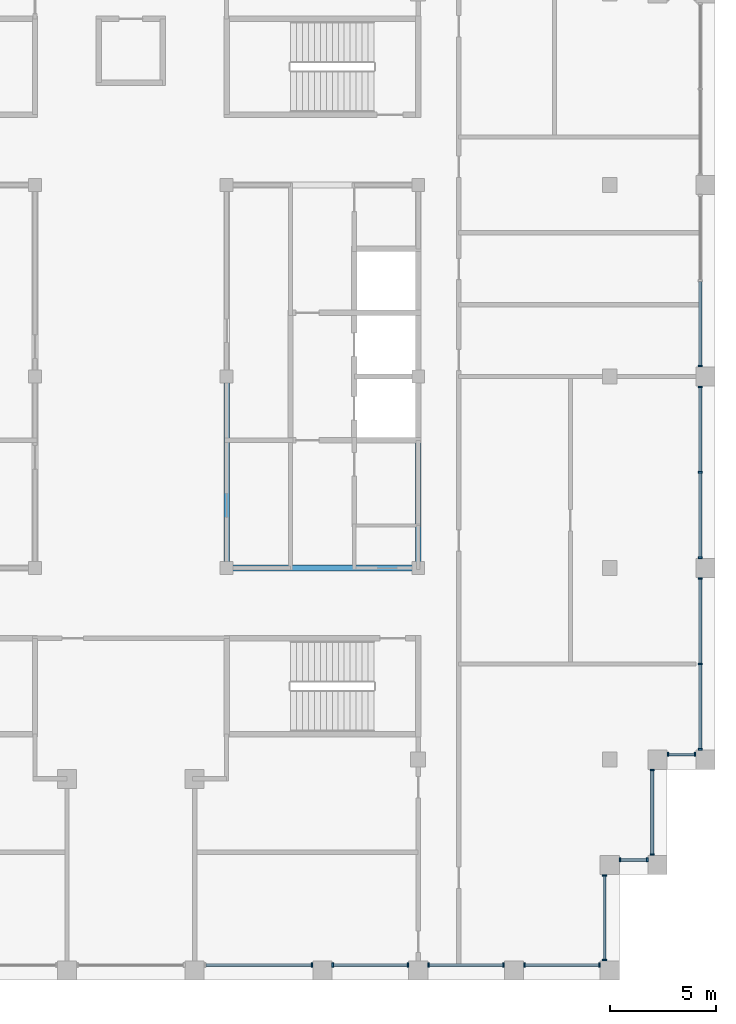
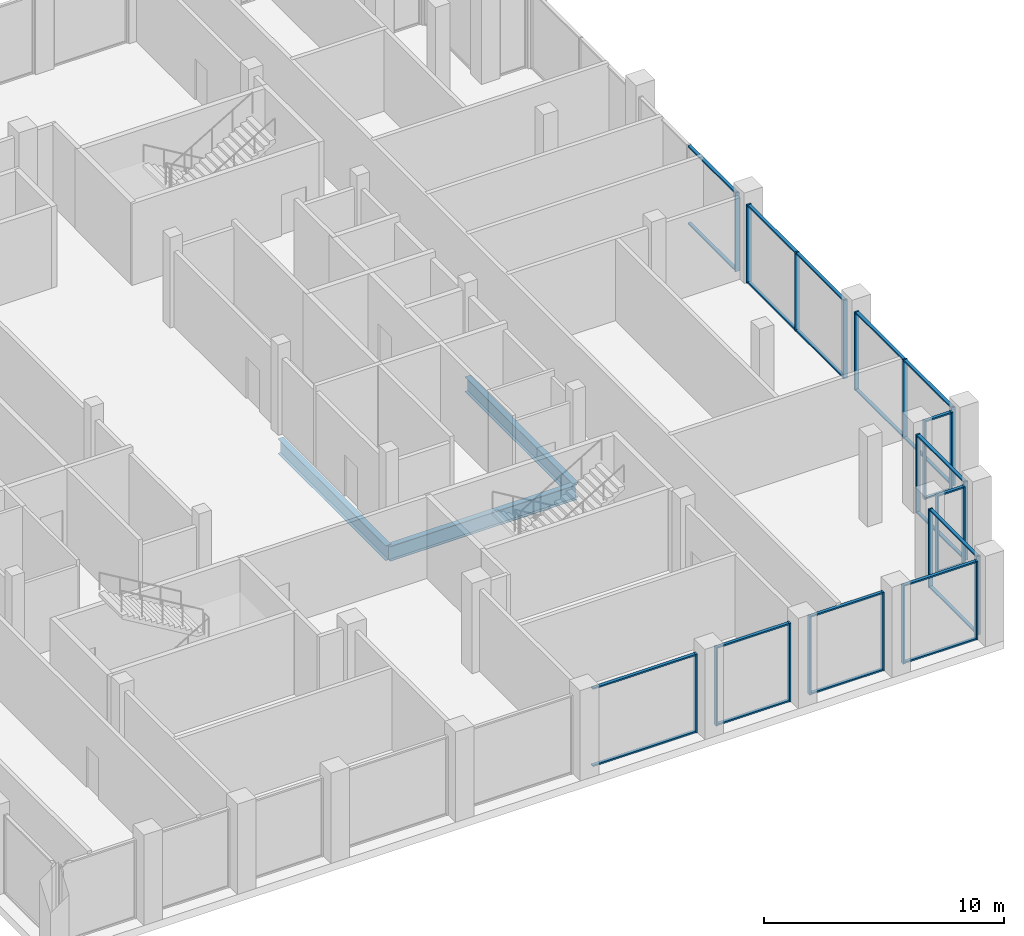
# One storey, part 3 of 12: 48 members, 3 beams, 11 elements without a shape of their own.
"""IFC4 building model written with IfcOpenShell, lengths in metres."""

from ifc_helpers import new_model, si_unit, direction, frame, origin, origin_2d, place, context, subcontext, project, spatial, rectangle, i_section, extrude, material, layer, layer_set, material_profile, profile_set, type_object, element, aggregate, save


model = new_model("IFC4")

# Units and contexts
model_context = context("Model", 3, precision=1e-05, world=origin(), true_north=direction((0.0, 1.0)))
body_context = subcontext(model_context, "Body", "Model", "MODEL_VIEW")
ifc_project = project(units=[si_unit("LENGTHUNIT", "METRE"), si_unit("AREAUNIT", "SQUARE_METRE"), si_unit("VOLUMEUNIT", "CUBIC_METRE"), si_unit("PLANEANGLEUNIT", "RADIAN"), si_unit("MASSUNIT", "GRAM", prefix="KILO")], contexts=[model_context])

# Site, building, storey
site_placement = place(None, origin())
site = spatial("IfcSite", under=ifc_project, at=site_placement, CompositionType="ELEMENT")
building_placement = place(site_placement, origin())
building = spatial("IfcBuilding", under=site, at=building_placement, Name="Corbelhall Arena Tower", CompositionType="ELEMENT")
storey_placement = place(building_placement, frame((0.0, 0.0, 356.0)))
storey = spatial("IfcBuildingStorey", under=building, at=storey_placement, Name="L78", CompositionType="ELEMENT", Elevation=356.0)

# Curtain wall, member
ifc_material_1 = material(Name="Aluminium black anodised", Category="aluminium")
ifc_layer = layer(ifc_material_1, 0.179931640625)
ifc_layer_set = layer_set([ifc_layer], Name="EV-CW3 Crown glazing")
curtain_wall_type = type_object("IfcCurtainWallType", Name="EV-CW3 Crown glazing", PredefinedType="NOTDEFINED", material=ifc_layer_set)
curtain_wall_1_placement = place(storey_placement, origin())
curtain_wall_1 = element("IfcCurtainWall", 1, at=curtain_wall_1_placement, inside=storey, type_object=curtain_wall_type, Name="Curtain wall CW3C", PredefinedType="NOTDEFINED")
ifc_material_profile_1 = material_profile(ifc_material_1, rectangle(XDim=0.199951171875, YDim=0.074951171875, at=origin_2d()))
ifc_profile_set_1 = profile_set([ifc_material_profile_1], Name="Aluminium black anodised")
member_type_1 = type_object("IfcMemberType", Name="EV-CW3-MULLION", PredefinedType="MULLION", material=ifc_profile_set_1)
member_1_placement = place(storey_placement, frame((8.512451171875, -27.64990234375, 0.0), z_axis=(0.0, 0.0, 1.0), x_axis=(0.0, 1.0, 0.0)))
member_1 = element("IfcMember", 2, at=member_1_placement, type_object=member_type_1, Name="CW3C mullion 2", PredefinedType="MULLION", context=body_context, shape_type="SweptSolid", body=[
    extrude(rectangle(XDim=0.199951171875, YDim=0.074951171875, at=origin_2d()), origin(), (0.0, 0.0, 1.0), 3.99951171875),
])

# Curtain wall, members
curtain_wall_2_placement = place(storey_placement, origin())
curtain_wall_2 = element("IfcCurtainWall", 3, at=curtain_wall_2_placement, inside=storey, type_object=curtain_wall_type, Name="Curtain wall CW3A", PredefinedType="NOTDEFINED")
member_2_placement = place(storey_placement, frame((9.487548828125, -27.64990234375, 0.0), z_axis=(0.0, 0.0, 1.0), x_axis=(0.0, 1.0, 0.0)))
member_2 = element("IfcMember", 4, at=member_2_placement, type_object=member_type_1, Name="CW3A mullion 1", PredefinedType="MULLION", context=body_context, shape_type="SweptSolid", body=[
    extrude(rectangle(XDim=0.199951171875, YDim=0.074951171875, at=origin_2d()), origin(), (0.0, 0.0, 1.0), 3.99951171875),
])
member_3_placement = place(storey_placement, frame((13.012451171875, -27.64990234375, 0.0), z_axis=(0.0, 0.0, 1.0), x_axis=(0.0, 1.0, 0.0)))
member_3 = element("IfcMember", 5, at=member_3_placement, type_object=member_type_1, Name="CW3A mullion 2", PredefinedType="MULLION", context=body_context, shape_type="SweptSolid", body=[
    extrude(rectangle(XDim=0.199951171875, YDim=0.074951171875, at=origin_2d()), origin(), (0.0, 0.0, 1.0), 3.99951171875),
])

curtain_wall_3_placement = place(storey_placement, origin())
curtain_wall_3 = element("IfcCurtainWall", 6, at=curtain_wall_3_placement, inside=storey, type_object=curtain_wall_type, Name="Curtain wall CW3A", PredefinedType="NOTDEFINED")
member_4_placement = place(storey_placement, frame((13.987548828125, -27.64990234375, 0.0), z_axis=(0.0, 0.0, 1.0), x_axis=(0.0, 1.0, 0.0)))
member_4 = element("IfcMember", 7, at=member_4_placement, type_object=member_type_1, Name="CW3A mullion 1", PredefinedType="MULLION", context=body_context, shape_type="SweptSolid", body=[
    extrude(rectangle(XDim=0.199951171875, YDim=0.074951171875, at=origin_2d()), origin(), (0.0, 0.0, 1.0), 3.99951171875),
])
member_5_placement = place(storey_placement, frame((17.512451171875, -27.64990234375, 0.0), z_axis=(0.0, 0.0, 1.0), x_axis=(0.0, 1.0, 0.0)))
member_5 = element("IfcMember", 8, at=member_5_placement, type_object=member_type_1, Name="CW3A mullion 2", PredefinedType="MULLION", context=body_context, shape_type="SweptSolid", body=[
    extrude(rectangle(XDim=0.199951171875, YDim=0.074951171875, at=origin_2d()), origin(), (0.0, 0.0, 1.0), 3.99951171875),
])

curtain_wall_4_placement = place(storey_placement, origin())
curtain_wall_4 = element("IfcCurtainWall", 9, at=curtain_wall_4_placement, inside=storey, type_object=curtain_wall_type, Name="Curtain wall CW3A", PredefinedType="NOTDEFINED")
member_6_placement = place(storey_placement, frame((18.487548828125, -27.64990234375, 0.0), z_axis=(0.0, 0.0, 1.0), x_axis=(0.0, 1.0, 0.0)))
member_6 = element("IfcMember", 10, at=member_6_placement, type_object=member_type_1, Name="CW3A mullion 1", PredefinedType="MULLION", context=body_context, shape_type="SweptSolid", body=[
    extrude(rectangle(XDim=0.199951171875, YDim=0.074951171875, at=origin_2d()), origin(), (0.0, 0.0, 1.0), 3.99951171875),
])
member_7_placement = place(storey_placement, frame((22.012451171875, -27.64990234375, 0.0), z_axis=(0.0, 0.0, 1.0), x_axis=(0.0, 1.0, 0.0)))
member_7 = element("IfcMember", 11, at=member_7_placement, type_object=member_type_1, Name="CW3A mullion 2", PredefinedType="MULLION", context=body_context, shape_type="SweptSolid", body=[
    extrude(rectangle(XDim=0.199951171875, YDim=0.074951171875, at=origin_2d()), origin(), (0.0, 0.0, 1.0), 3.99951171875),
])

curtain_wall_5_placement = place(storey_placement, origin())
curtain_wall_5 = element("IfcCurtainWall", 12, at=curtain_wall_5_placement, inside=storey, type_object=curtain_wall_type, Name="Curtain wall CW3", PredefinedType="NOTDEFINED")
member_8_placement = place(storey_placement, frame((22.25, -27.41259765625, 0.0), z_axis=(0.0, 0.0, 1.0), x_axis=(-1.0, 0.0, 0.0)))
member_8 = element("IfcMember", 13, at=member_8_placement, type_object=member_type_1, Name="CW3 mullion 1", PredefinedType="MULLION", context=body_context, shape_type="SweptSolid", body=[
    extrude(rectangle(XDim=0.199951171875, YDim=0.074951171875, at=origin_2d()), origin(), (0.0, 0.0, 1.0), 3.99951171875),
])
member_9_placement = place(storey_placement, frame((22.25, -23.4375, 0.0), z_axis=(0.0, 0.0, 1.0), x_axis=(-1.0, 0.0, 0.0)))
member_9 = element("IfcMember", 14, at=member_9_placement, type_object=member_type_1, Name="CW3 mullion 2", PredefinedType="MULLION", context=body_context, shape_type="SweptSolid", body=[
    extrude(rectangle(XDim=0.199951171875, YDim=0.074951171875, at=origin_2d()), origin(), (0.0, 0.0, 1.0), 3.99951171875),
])

curtain_wall_6_placement = place(storey_placement, origin())
curtain_wall_6 = element("IfcCurtainWall", 15, at=curtain_wall_6_placement, inside=storey, type_object=curtain_wall_type, Name="Curtain wall CW3B", PredefinedType="NOTDEFINED")
member_10_placement = place(storey_placement, frame((22.987548828125, -22.699951171875, 0.0), z_axis=(0.0, 0.0, 1.0), x_axis=(0.0, 1.0, 0.0)))
member_10 = element("IfcMember", 16, at=member_10_placement, type_object=member_type_1, Name="CW3B mullion 1", PredefinedType="MULLION", context=body_context, shape_type="SweptSolid", body=[
    extrude(rectangle(XDim=0.199951171875, YDim=0.074951171875, at=origin_2d()), origin(), (0.0, 0.0, 1.0), 3.99951171875),
])
member_11_placement = place(storey_placement, frame((24.262451171875, -22.699951171875, 0.0), z_axis=(0.0, 0.0, 1.0), x_axis=(0.0, 1.0, 0.0)))
member_11 = element("IfcMember", 17, at=member_11_placement, type_object=member_type_1, Name="CW3B mullion 2", PredefinedType="MULLION", context=body_context, shape_type="SweptSolid", body=[
    extrude(rectangle(XDim=0.199951171875, YDim=0.074951171875, at=origin_2d()), origin(), (0.0, 0.0, 1.0), 3.99951171875),
])

curtain_wall_7_placement = place(storey_placement, origin())
curtain_wall_7 = element("IfcCurtainWall", 18, at=curtain_wall_7_placement, inside=storey, type_object=curtain_wall_type, Name="Curtain wall CW3", PredefinedType="NOTDEFINED")
member_12_placement = place(storey_placement, frame((24.5, -22.46240234375, 0.0), z_axis=(0.0, 0.0, 1.0), x_axis=(-1.0, 0.0, 0.0)))
member_12 = element("IfcMember", 19, at=member_12_placement, type_object=member_type_1, Name="CW3 mullion 1", PredefinedType="MULLION", context=body_context, shape_type="SweptSolid", body=[
    extrude(rectangle(XDim=0.199951171875, YDim=0.074951171875, at=origin_2d()), origin(), (0.0, 0.0, 1.0), 3.99951171875),
])
member_13_placement = place(storey_placement, frame((24.5, -18.487548828125, 0.0), z_axis=(0.0, 0.0, 1.0), x_axis=(-1.0, 0.0, 0.0)))
member_13 = element("IfcMember", 20, at=member_13_placement, type_object=member_type_1, Name="CW3 mullion 2", PredefinedType="MULLION", context=body_context, shape_type="SweptSolid", body=[
    extrude(rectangle(XDim=0.199951171875, YDim=0.074951171875, at=origin_2d()), origin(), (0.0, 0.0, 1.0), 3.99951171875),
])

curtain_wall_8_placement = place(storey_placement, origin())
curtain_wall_8 = element("IfcCurtainWall", 21, at=curtain_wall_8_placement, inside=storey, type_object=curtain_wall_type, Name="Curtain wall CW3B", PredefinedType="NOTDEFINED")
member_14_placement = place(storey_placement, frame((25.237548828125, -17.75, 0.0), z_axis=(0.0, 0.0, 1.0), x_axis=(0.0, 1.0, 0.0)))
member_14 = element("IfcMember", 22, at=member_14_placement, type_object=member_type_1, Name="CW3B mullion 1", PredefinedType="MULLION", context=body_context, shape_type="SweptSolid", body=[
    extrude(rectangle(XDim=0.199951171875, YDim=0.074951171875, at=origin_2d()), origin(), (0.0, 0.0, 1.0), 3.99951171875),
])
member_15_placement = place(storey_placement, frame((26.512451171875, -17.75, 0.0), z_axis=(0.0, 0.0, 1.0), x_axis=(0.0, 1.0, 0.0)))
member_15 = element("IfcMember", 23, at=member_15_placement, type_object=member_type_1, Name="CW3B mullion 2", PredefinedType="MULLION", context=body_context, shape_type="SweptSolid", body=[
    extrude(rectangle(XDim=0.199951171875, YDim=0.074951171875, at=origin_2d()), origin(), (0.0, 0.0, 1.0), 3.99951171875),
])

curtain_wall_9_placement = place(storey_placement, origin())
curtain_wall_9 = element("IfcCurtainWall", 24, at=curtain_wall_9_placement, inside=storey, type_object=curtain_wall_type, Name="Curtain wall CW3", PredefinedType="NOTDEFINED")
member_16_placement = place(storey_placement, frame((26.75, -17.512451171875, 0.0), z_axis=(0.0, 0.0, 1.0), x_axis=(-1.0, 0.0, 0.0)))
member_16 = element("IfcMember", 25, at=member_16_placement, type_object=member_type_1, Name="CW3 mullion 1", PredefinedType="MULLION", context=body_context, shape_type="SweptSolid", body=[
    extrude(rectangle(XDim=0.199951171875, YDim=0.074951171875, at=origin_2d()), origin(), (0.0, 0.0, 1.0), 3.99951171875),
])
member_17_placement = place(storey_placement, frame((26.75, -13.5, 0.0), z_axis=(0.0, 0.0, 1.0), x_axis=(-1.0, 0.0, 0.0)))
member_17 = element("IfcMember", 26, at=member_17_placement, type_object=member_type_1, Name="CW3 mullion 2", PredefinedType="MULLION", context=body_context, shape_type="SweptSolid", body=[
    extrude(rectangle(XDim=0.199951171875, YDim=0.074951171875, at=origin_2d()), origin(), (0.0, 0.0, 1.0), 3.99951171875),
])
member_18_placement = place(storey_placement, frame((26.75, -9.487548828125, 0.0), z_axis=(0.0, 0.0, 1.0), x_axis=(-1.0, 0.0, 0.0)))
member_18 = element("IfcMember", 27, at=member_18_placement, type_object=member_type_1, Name="CW3 mullion 3", PredefinedType="MULLION", context=body_context, shape_type="SweptSolid", body=[
    extrude(rectangle(XDim=0.199951171875, YDim=0.074951171875, at=origin_2d()), origin(), (0.0, 0.0, 1.0), 3.99951171875),
])

curtain_wall_10_placement = place(storey_placement, origin())
curtain_wall_10 = element("IfcCurtainWall", 28, at=curtain_wall_10_placement, inside=storey, type_object=curtain_wall_type, Name="Curtain wall CW3", PredefinedType="NOTDEFINED")
member_19_placement = place(storey_placement, frame((26.75, -8.512451171875, 0.0), z_axis=(0.0, 0.0, 1.0), x_axis=(-1.0, 0.0, 0.0)))
member_19 = element("IfcMember", 29, at=member_19_placement, type_object=member_type_1, Name="CW3 mullion 1", PredefinedType="MULLION", context=body_context, shape_type="SweptSolid", body=[
    extrude(rectangle(XDim=0.199951171875, YDim=0.074951171875, at=origin_2d()), origin(), (0.0, 0.0, 1.0), 3.99951171875),
])
member_20_placement = place(storey_placement, frame((26.75, -4.5, 0.0), z_axis=(0.0, 0.0, 1.0), x_axis=(-1.0, 0.0, 0.0)))
member_20 = element("IfcMember", 30, at=member_20_placement, type_object=member_type_1, Name="CW3 mullion 2", PredefinedType="MULLION", context=body_context, shape_type="SweptSolid", body=[
    extrude(rectangle(XDim=0.199951171875, YDim=0.074951171875, at=origin_2d()), origin(), (0.0, 0.0, 1.0), 3.99951171875),
])
member_21_placement = place(storey_placement, frame((26.75, -0.487548828125, 0.0), z_axis=(0.0, 0.0, 1.0), x_axis=(-1.0, 0.0, 0.0)))
member_21 = element("IfcMember", 31, at=member_21_placement, type_object=member_type_1, Name="CW3 mullion 3", PredefinedType="MULLION", context=body_context, shape_type="SweptSolid", body=[
    extrude(rectangle(XDim=0.199951171875, YDim=0.074951171875, at=origin_2d()), origin(), (0.0, 0.0, 1.0), 3.99951171875),
])

# Curtain wall, member
curtain_wall_11_placement = place(storey_placement, origin())
curtain_wall_11 = element("IfcCurtainWall", 32, at=curtain_wall_11_placement, inside=storey, type_object=curtain_wall_type, Name="Curtain wall CW3", PredefinedType="NOTDEFINED")
member_22_placement = place(storey_placement, frame((26.75, 0.487548828125, 0.0), z_axis=(0.0, 0.0, 1.0), x_axis=(-1.0, 0.0, 0.0)))
member_22 = element("IfcMember", 33, at=member_22_placement, type_object=member_type_1, Name="CW3 mullion 1", PredefinedType="MULLION", context=body_context, shape_type="SweptSolid", body=[
    extrude(rectangle(XDim=0.199951171875, YDim=0.074951171875, at=origin_2d()), origin(), (0.0, 0.0, 1.0), 3.99951171875),
])

# Member
ifc_material_profile_2 = material_profile(ifc_material_1, rectangle(XDim=0.14990234375, YDim=0.074951171875, at=origin_2d()))
ifc_profile_set_2 = profile_set([ifc_material_profile_2], Name="Aluminium black anodised")
member_type_2 = type_object("IfcMemberType", Name="EV-CW3-TRANSOM", PredefinedType="USERDEFINED", material=ifc_profile_set_2)
member_23_placement = place(storey_placement, frame((3.52490234375, -27.64990234375, 0.03759765625), z_axis=(1.0, 0.0, 0.0), x_axis=(0.0, 1.0, 0.0)))
member_23 = element("IfcMember", 34, at=member_23_placement, type_object=member_type_2, Name="CW3C transom 1.1", ObjectType="transom", PredefinedType="USERDEFINED", context=body_context, shape_type="SweptSolid", body=[
    extrude(rectangle(XDim=0.14990234375, YDim=0.074951171875, at=origin_2d()), origin(), (0.0, 0.0, 1.0), 4.9501953125),
])

member_24_placement = place(storey_placement, frame((3.52490234375, -27.64990234375, 3.962158203125), z_axis=(1.0, 0.0, 0.0), x_axis=(0.0, 1.0, 0.0)))
member_24 = element("IfcMember", 35, at=member_24_placement, type_object=member_type_2, Name="CW3C transom 1.2", ObjectType="transom", PredefinedType="USERDEFINED", context=body_context, shape_type="SweptSolid", body=[
    extrude(rectangle(XDim=0.14990234375, YDim=0.074951171875, at=origin_2d()), origin(), (0.0, 0.0, 1.0), 4.9501953125),
])

aggregate(curtain_wall_1, [member_1, member_23, member_24])

member_25_placement = place(storey_placement, frame((9.52490234375, -27.64990234375, 0.03759765625), z_axis=(1.0, 0.0, 0.0), x_axis=(0.0, 1.0, 0.0)))
member_25 = element("IfcMember", 36, at=member_25_placement, type_object=member_type_2, Name="CW3A transom 1.1", ObjectType="transom", PredefinedType="USERDEFINED", context=body_context, shape_type="SweptSolid", body=[
    extrude(rectangle(XDim=0.14990234375, YDim=0.074951171875, at=origin_2d()), origin(), (0.0, 0.0, 1.0), 3.4501953125),
])

member_26_placement = place(storey_placement, frame((9.52490234375, -27.64990234375, 3.962158203125), z_axis=(1.0, 0.0, 0.0), x_axis=(0.0, 1.0, 0.0)))
member_26 = element("IfcMember", 37, at=member_26_placement, type_object=member_type_2, Name="CW3A transom 1.2", ObjectType="transom", PredefinedType="USERDEFINED", context=body_context, shape_type="SweptSolid", body=[
    extrude(rectangle(XDim=0.14990234375, YDim=0.074951171875, at=origin_2d()), origin(), (0.0, 0.0, 1.0), 3.4501953125),
])

aggregate(curtain_wall_2, [member_2, member_3, member_25, member_26])

member_27_placement = place(storey_placement, frame((14.02490234375, -27.64990234375, 0.03759765625), z_axis=(1.0, 0.0, 0.0), x_axis=(0.0, 1.0, 0.0)))
member_27 = element("IfcMember", 38, at=member_27_placement, type_object=member_type_2, Name="CW3A transom 1.1", ObjectType="transom", PredefinedType="USERDEFINED", context=body_context, shape_type="SweptSolid", body=[
    extrude(rectangle(XDim=0.14990234375, YDim=0.074951171875, at=origin_2d()), origin(), (0.0, 0.0, 1.0), 3.4501953125),
])

member_28_placement = place(storey_placement, frame((14.02490234375, -27.64990234375, 3.962158203125), z_axis=(1.0, 0.0, 0.0), x_axis=(0.0, 1.0, 0.0)))
member_28 = element("IfcMember", 39, at=member_28_placement, type_object=member_type_2, Name="CW3A transom 1.2", ObjectType="transom", PredefinedType="USERDEFINED", context=body_context, shape_type="SweptSolid", body=[
    extrude(rectangle(XDim=0.14990234375, YDim=0.074951171875, at=origin_2d()), origin(), (0.0, 0.0, 1.0), 3.4501953125),
])

aggregate(curtain_wall_3, [member_4, member_5, member_27, member_28])

member_29_placement = place(storey_placement, frame((18.52490234375, -27.64990234375, 0.03759765625), z_axis=(1.0, 0.0, 0.0), x_axis=(0.0, 1.0, 0.0)))
member_29 = element("IfcMember", 40, at=member_29_placement, type_object=member_type_2, Name="CW3A transom 1.1", ObjectType="transom", PredefinedType="USERDEFINED", context=body_context, shape_type="SweptSolid", body=[
    extrude(rectangle(XDim=0.14990234375, YDim=0.074951171875, at=origin_2d()), origin(), (0.0, 0.0, 1.0), 3.4501953125),
])

member_30_placement = place(storey_placement, frame((18.52490234375, -27.64990234375, 3.962158203125), z_axis=(1.0, 0.0, 0.0), x_axis=(0.0, 1.0, 0.0)))
member_30 = element("IfcMember", 41, at=member_30_placement, type_object=member_type_2, Name="CW3A transom 1.2", ObjectType="transom", PredefinedType="USERDEFINED", context=body_context, shape_type="SweptSolid", body=[
    extrude(rectangle(XDim=0.14990234375, YDim=0.074951171875, at=origin_2d()), origin(), (0.0, 0.0, 1.0), 3.4501953125),
])

aggregate(curtain_wall_4, [member_6, member_7, member_29, member_30])

member_31_placement = place(storey_placement, frame((22.25, -27.375, 0.03759765625), z_axis=(0.0, 1.0, 0.0), x_axis=(-1.0, 0.0, 0.0)))
member_31 = element("IfcMember", 42, at=member_31_placement, type_object=member_type_2, Name="CW3 transom 1.1", ObjectType="transom", PredefinedType="USERDEFINED", context=body_context, shape_type="SweptSolid", body=[
    extrude(rectangle(XDim=0.14990234375, YDim=0.074951171875, at=origin_2d()), origin(), (0.0, 0.0, 1.0), 3.89990234375),
])

member_32_placement = place(storey_placement, frame((22.25, -27.375, 3.962158203125), z_axis=(0.0, 1.0, 0.0), x_axis=(-1.0, 0.0, 0.0)))
member_32 = element("IfcMember", 43, at=member_32_placement, type_object=member_type_2, Name="CW3 transom 1.2", ObjectType="transom", PredefinedType="USERDEFINED", context=body_context, shape_type="SweptSolid", body=[
    extrude(rectangle(XDim=0.14990234375, YDim=0.074951171875, at=origin_2d()), origin(), (0.0, 0.0, 1.0), 3.89990234375),
])

aggregate(curtain_wall_5, [member_8, member_9, member_31, member_32])

member_33_placement = place(storey_placement, frame((23.02490234375, -22.699951171875, 0.03759765625), z_axis=(1.0, 0.0, 0.0), x_axis=(0.0, 1.0, 0.0)))
member_33 = element("IfcMember", 44, at=member_33_placement, type_object=member_type_2, Name="CW3B transom 1.1", ObjectType="transom", PredefinedType="USERDEFINED", context=body_context, shape_type="SweptSolid", body=[
    extrude(rectangle(XDim=0.14990234375, YDim=0.074951171875, at=origin_2d()), origin(), (0.0, 0.0, 1.0), 1.2001953125),
])

member_34_placement = place(storey_placement, frame((23.02490234375, -22.699951171875, 3.962158203125), z_axis=(1.0, 0.0, 0.0), x_axis=(0.0, 1.0, 0.0)))
member_34 = element("IfcMember", 45, at=member_34_placement, type_object=member_type_2, Name="CW3B transom 1.2", ObjectType="transom", PredefinedType="USERDEFINED", context=body_context, shape_type="SweptSolid", body=[
    extrude(rectangle(XDim=0.14990234375, YDim=0.074951171875, at=origin_2d()), origin(), (0.0, 0.0, 1.0), 1.2001953125),
])

aggregate(curtain_wall_6, [member_10, member_11, member_33, member_34])

member_35_placement = place(storey_placement, frame((24.5, -22.425048828125, 0.03759765625), z_axis=(0.0, 1.0, 0.0), x_axis=(-1.0, 0.0, 0.0)))
member_35 = element("IfcMember", 46, at=member_35_placement, type_object=member_type_2, Name="CW3 transom 1.1", ObjectType="transom", PredefinedType="USERDEFINED", context=body_context, shape_type="SweptSolid", body=[
    extrude(rectangle(XDim=0.14990234375, YDim=0.074951171875, at=origin_2d()), origin(), (0.0, 0.0, 1.0), 3.900146484375),
])

member_36_placement = place(storey_placement, frame((24.5, -22.425048828125, 3.962158203125), z_axis=(0.0, 1.0, 0.0), x_axis=(-1.0, 0.0, 0.0)))
member_36 = element("IfcMember", 47, at=member_36_placement, type_object=member_type_2, Name="CW3 transom 1.2", ObjectType="transom", PredefinedType="USERDEFINED", context=body_context, shape_type="SweptSolid", body=[
    extrude(rectangle(XDim=0.14990234375, YDim=0.074951171875, at=origin_2d()), origin(), (0.0, 0.0, 1.0), 3.900146484375),
])

aggregate(curtain_wall_7, [member_12, member_13, member_35, member_36])

member_37_placement = place(storey_placement, frame((25.27490234375, -17.75, 0.03759765625), z_axis=(1.0, 0.0, 0.0), x_axis=(0.0, 1.0, 0.0)))
member_37 = element("IfcMember", 48, at=member_37_placement, type_object=member_type_2, Name="CW3B transom 1.1", ObjectType="transom", PredefinedType="USERDEFINED", context=body_context, shape_type="SweptSolid", body=[
    extrude(rectangle(XDim=0.14990234375, YDim=0.074951171875, at=origin_2d()), origin(), (0.0, 0.0, 1.0), 1.2001953125),
])

member_38_placement = place(storey_placement, frame((25.27490234375, -17.75, 3.962158203125), z_axis=(1.0, 0.0, 0.0), x_axis=(0.0, 1.0, 0.0)))
member_38 = element("IfcMember", 49, at=member_38_placement, type_object=member_type_2, Name="CW3B transom 1.2", ObjectType="transom", PredefinedType="USERDEFINED", context=body_context, shape_type="SweptSolid", body=[
    extrude(rectangle(XDim=0.14990234375, YDim=0.074951171875, at=origin_2d()), origin(), (0.0, 0.0, 1.0), 1.2001953125),
])

aggregate(curtain_wall_8, [member_14, member_15, member_37, member_38])

member_39_placement = place(storey_placement, frame((26.75, -17.47509765625, 0.03759765625), z_axis=(0.0, 1.0, 0.0), x_axis=(-1.0, 0.0, 0.0)))
member_39 = element("IfcMember", 50, at=member_39_placement, type_object=member_type_2, Name="CW3 transom 1.1", ObjectType="transom", PredefinedType="USERDEFINED", context=body_context, shape_type="SweptSolid", body=[
    extrude(rectangle(XDim=0.14990234375, YDim=0.074951171875, at=origin_2d()), origin(), (0.0, 0.0, 1.0), 3.9375),
])

member_40_placement = place(storey_placement, frame((26.75, -17.47509765625, 3.962158203125), z_axis=(0.0, 1.0, 0.0), x_axis=(-1.0, 0.0, 0.0)))
member_40 = element("IfcMember", 51, at=member_40_placement, type_object=member_type_2, Name="CW3 transom 1.2", ObjectType="transom", PredefinedType="USERDEFINED", context=body_context, shape_type="SweptSolid", body=[
    extrude(rectangle(XDim=0.14990234375, YDim=0.074951171875, at=origin_2d()), origin(), (0.0, 0.0, 1.0), 3.9375),
])

member_41_placement = place(storey_placement, frame((26.75, -13.46240234375, 0.03759765625), z_axis=(0.0, 1.0, 0.0), x_axis=(-1.0, 0.0, 0.0)))
member_41 = element("IfcMember", 52, at=member_41_placement, type_object=member_type_2, Name="CW3 transom 2.1", ObjectType="transom", PredefinedType="USERDEFINED", context=body_context, shape_type="SweptSolid", body=[
    extrude(rectangle(XDim=0.14990234375, YDim=0.074951171875, at=origin_2d()), origin(), (0.0, 0.0, 1.0), 3.9375),
])

member_42_placement = place(storey_placement, frame((26.75, -13.46240234375, 3.962158203125), z_axis=(0.0, 1.0, 0.0), x_axis=(-1.0, 0.0, 0.0)))
member_42 = element("IfcMember", 53, at=member_42_placement, type_object=member_type_2, Name="CW3 transom 2.2", ObjectType="transom", PredefinedType="USERDEFINED", context=body_context, shape_type="SweptSolid", body=[
    extrude(rectangle(XDim=0.14990234375, YDim=0.074951171875, at=origin_2d()), origin(), (0.0, 0.0, 1.0), 3.9375),
])

aggregate(curtain_wall_9, [member_16, member_17, member_18, member_39, member_40, member_41, member_42])

member_43_placement = place(storey_placement, frame((26.75, -8.47509765625, 0.03759765625), z_axis=(0.0, 1.0, 0.0), x_axis=(-1.0, 0.0, 0.0)))
member_43 = element("IfcMember", 54, at=member_43_placement, type_object=member_type_2, Name="CW3 transom 1.1", ObjectType="transom", PredefinedType="USERDEFINED", context=body_context, shape_type="SweptSolid", body=[
    extrude(rectangle(XDim=0.14990234375, YDim=0.074951171875, at=origin_2d()), origin(), (0.0, 0.0, 1.0), 3.9375),
])

member_44_placement = place(storey_placement, frame((26.75, -8.47509765625, 3.962158203125), z_axis=(0.0, 1.0, 0.0), x_axis=(-1.0, 0.0, 0.0)))
member_44 = element("IfcMember", 55, at=member_44_placement, type_object=member_type_2, Name="CW3 transom 1.2", ObjectType="transom", PredefinedType="USERDEFINED", context=body_context, shape_type="SweptSolid", body=[
    extrude(rectangle(XDim=0.14990234375, YDim=0.074951171875, at=origin_2d()), origin(), (0.0, 0.0, 1.0), 3.9375),
])

member_45_placement = place(storey_placement, frame((26.75, -4.46240234375, 0.03759765625), z_axis=(0.0, 1.0, 0.0), x_axis=(-1.0, 0.0, 0.0)))
member_45 = element("IfcMember", 56, at=member_45_placement, type_object=member_type_2, Name="CW3 transom 2.1", ObjectType="transom", PredefinedType="USERDEFINED", context=body_context, shape_type="SweptSolid", body=[
    extrude(rectangle(XDim=0.14990234375, YDim=0.074951171875, at=origin_2d()), origin(), (0.0, 0.0, 1.0), 3.9375),
])

member_46_placement = place(storey_placement, frame((26.75, -4.46240234375, 3.962158203125), z_axis=(0.0, 1.0, 0.0), x_axis=(-1.0, 0.0, 0.0)))
member_46 = element("IfcMember", 57, at=member_46_placement, type_object=member_type_2, Name="CW3 transom 2.2", ObjectType="transom", PredefinedType="USERDEFINED", context=body_context, shape_type="SweptSolid", body=[
    extrude(rectangle(XDim=0.14990234375, YDim=0.074951171875, at=origin_2d()), origin(), (0.0, 0.0, 1.0), 3.9375),
])

aggregate(curtain_wall_10, [member_19, member_20, member_21, member_43, member_44, member_45, member_46])

member_47_placement = place(storey_placement, frame((26.75, 0.52490234375, 0.03759765625), z_axis=(0.0, 1.0, 0.0), x_axis=(-1.0, 0.0, 0.0)))
member_47 = element("IfcMember", 58, at=member_47_placement, type_object=member_type_2, Name="CW3 transom 1.1", ObjectType="transom", PredefinedType="USERDEFINED", context=body_context, shape_type="SweptSolid", body=[
    extrude(rectangle(XDim=0.14990234375, YDim=0.074951171875, at=origin_2d()), origin(), (0.0, 0.0, 1.0), 3.9375),
])

member_48_placement = place(storey_placement, frame((26.75, 0.52490234375, 3.962158203125), z_axis=(0.0, 1.0, 0.0), x_axis=(-1.0, 0.0, 0.0)))
member_48 = element("IfcMember", 59, at=member_48_placement, type_object=member_type_2, Name="CW3 transom 1.2", ObjectType="transom", PredefinedType="USERDEFINED", context=body_context, shape_type="SweptSolid", body=[
    extrude(rectangle(XDim=0.14990234375, YDim=0.074951171875, at=origin_2d()), origin(), (0.0, 0.0, 1.0), 3.9375),
])

aggregate(curtain_wall_11, [member_22, member_47, member_48])

# Beams
ifc_material_2 = material(Name="Steel ASTM A992 Gr50", Category="steel")
ifc_material_profile_3 = material_profile(ifc_material_2, i_section(OverallWidth=0.2666015625, OverallDepth=0.761962890625, WebThickness=0.014404296875, FlangeThickness=0.021484375, at=origin_2d()))
ifc_profile_set_3 = profile_set([ifc_material_profile_3], Name="Steel ASTM A992 Gr50")
beam_type = type_object("IfcBeamType", Name="ST-BEAM-W30x116", PredefinedType="BEAM", material=ifc_profile_set_3)
for number, where, z_axis, x_axis, name in (
    (60, (4.5, -9.0, -0.781494140625), (0.0, 1.0, 0.0), (-1.0, 0.0, 0.0), "Beam CEE 7"),
    (61, (13.5, -9.0, -0.781494140625), (0.0, 1.0, 0.0), (-1.0, 0.0, 0.0), "Beam CEE 9"),
    (62, (4.5, -9.0, -0.781494140625), (1.0, 0.0, 0.0), (0.0, 1.0, 0.0), "Beam CEE 11"),
):
    element("IfcBeam", number, at=place(storey_placement, frame(where, z_axis=z_axis, x_axis=x_axis)), inside=storey, type_object=beam_type, Name=name, PredefinedType="BEAM", context=body_context, shape_type="SweptSolid", body=[
        extrude(i_section(OverallWidth=0.2666015625, OverallDepth=0.761962890625, WebThickness=0.014404296875, FlangeThickness=0.021484375, at=origin_2d()), origin(), (0.0, 0.0, 1.0), 9.0),
    ])

save(model, "model.ifc")
